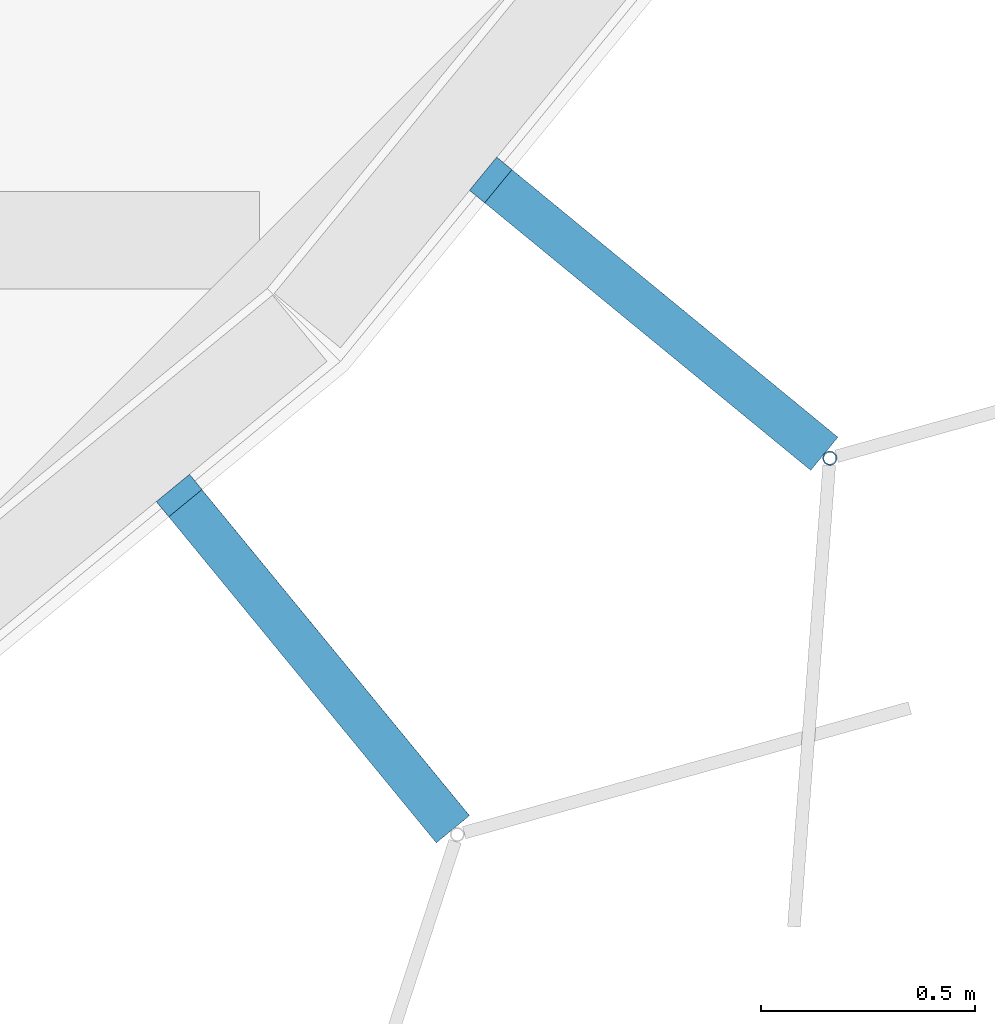
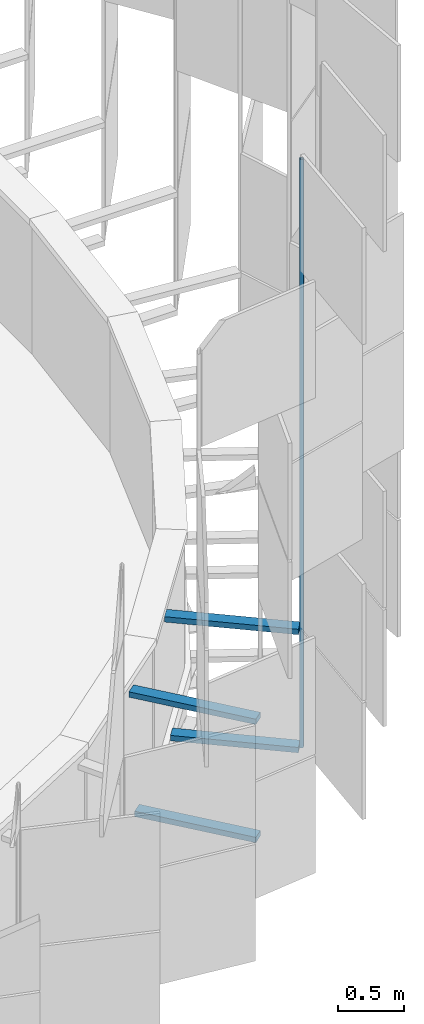
# One storey, part 173 of 483: 5 discrete accessories.
"""IFC4 building model written with IfcOpenShell, lengths in metres."""

from ifc_helpers import new_model, si_unit, direction, frame, origin, origin_2d, place, context, subcontext, project, spatial, rectangle, hollow_circle, extrude, material, material_profile, profile_set, type_object, element, save


model = new_model("IFC4")

# Units and contexts
model_context = context("Model", 3, precision=1e-05, world=origin(), true_north=direction((0.0, 1.0)))
body_context = subcontext(model_context, "Body", "Model", "MODEL_VIEW")
ifc_project = project(units=[si_unit("LENGTHUNIT", "METRE"), si_unit("AREAUNIT", "SQUARE_METRE"), si_unit("VOLUMEUNIT", "CUBIC_METRE"), si_unit("PLANEANGLEUNIT", "RADIAN"), si_unit("MASSUNIT", "GRAM", prefix="KILO")], contexts=[model_context])

# Site, building, storey
site_placement = place(None, origin())
site = spatial("IfcSite", under=ifc_project, at=site_placement, CompositionType="ELEMENT")
building_placement = place(site_placement, origin())
building = spatial("IfcBuilding", under=site, at=building_placement, Name="Parallax Yard Mobility Hub", CompositionType="ELEMENT")
storey_placement = place(building_placement, frame((0.0, 0.0, 13.199951171875)))
storey = spatial("IfcBuildingStorey", under=building, at=storey_placement, Name="L04", CompositionType="ELEMENT", Elevation=13.199951171875)

# Discrete accessories
ifc_material_1 = material(Name="Steel ASTM A36, hot-dip galvanised", Category="steel")
discrete_accessory_type_1 = type_object("IfcDiscreteAccessoryType", Name="Hinge bracket plate 100x50", PredefinedType="BRACKET", material=ifc_material_1)
discrete_accessory_1_placement = place(storey_placement, frame((222.73681640625, 24.006103515625, -0.02490234375), z_axis=(0.0, 0.0, 1.0), x_axis=(0.634393284164, -0.773010453363, 0.0)))
element("IfcDiscreteAccessory", 1, at=discrete_accessory_1_placement, inside=storey, type_object=discrete_accessory_type_1, Name="Hinge bracket plate bay 32.6 level L04", PredefinedType="BRACKET", context=body_context, shape_type="SweptSolid", body=[
    extrude(rectangle(XDim=0.984130859375, YDim=0.10009765625, at=origin_2d()), origin(), (0.0, 0.0, 1.0), 0.050048828125),
])
discrete_accessory_2_placement = place(storey_placement, frame((222.722412109375, 24.02392578125, 1.06982421875), z_axis=(0.0, 0.0, 1.0), x_axis=(0.634393284164, -0.773010453363, 0.0)))
element("IfcDiscreteAccessory", 2, at=discrete_accessory_2_placement, inside=storey, type_object=discrete_accessory_type_1, Name="Hinge bracket plate bay 32.6 level L04", PredefinedType="BRACKET", context=body_context, shape_type="SweptSolid", body=[
    extrude(rectangle(XDim=1.030029296875, YDim=0.10009765625, at=origin_2d()), origin(), (0.0, 0.0, 1.0), 0.050048828125),
])
discrete_accessory_3_placement = place(storey_placement, frame((223.535400390625, 24.81396484375, -0.02490234375), z_axis=(0.0, 0.0, 1.0), x_axis=(0.773010453363, -0.634393284164, 0.0)))
element("IfcDiscreteAccessory", 3, at=discrete_accessory_3_placement, inside=storey, type_object=discrete_accessory_type_1, Name="Hinge bracket plate bay 32.7 level L04", PredefinedType="BRACKET", context=body_context, shape_type="SweptSolid", body=[
    extrude(rectangle(XDim=0.984130859375, YDim=0.10009765625, at=origin_2d()), origin(), (0.0, 0.0, 1.0), 0.050048828125),
])
discrete_accessory_4_placement = place(storey_placement, frame((223.517578125, 24.82861328125, 1.06982421875), z_axis=(0.0, 0.0, 1.0), x_axis=(0.773010453363, -0.634393284164, 0.0)))
element("IfcDiscreteAccessory", 4, at=discrete_accessory_4_placement, inside=storey, type_object=discrete_accessory_type_1, Name="Hinge bracket plate bay 32.7 level L04", PredefinedType="BRACKET", context=body_context, shape_type="SweptSolid", body=[
    extrude(rectangle(XDim=1.030029296875, YDim=0.10009765625, at=origin_2d()), origin(), (0.0, 0.0, 1.0), 0.050048828125),
])
ifc_material_2 = material(Name="Steel ASTM A500 Gr C, hot-dip galvanised", Category="steel")
ifc_material_profile = material_profile(ifc_material_2, hollow_circle(Radius=0.016845703125, WallThickness=0.003173828125, at=origin_2d()), Name="CHS 33.7x3.2")
ifc_profile_set = profile_set([ifc_material_profile], Name="Steel ASTM A500 Gr C, hot-dip galvanised")
discrete_accessory_type_2 = type_object("IfcDiscreteAccessoryType", Name="Hinge post CHS 33.7x3.2", PredefinedType="BRACKET", material=ifc_profile_set)
discrete_accessory_5_placement = place(storey_placement, frame((223.928466796875, 24.491455078125, 0.0), z_axis=(0.0, 0.0, 1.0), x_axis=(1.0, 0.0, 0.0)))
element("IfcDiscreteAccessory", 5, at=discrete_accessory_5_placement, inside=storey, type_object=discrete_accessory_type_2, Name="Hinge post bay 32.7 level L04", PredefinedType="BRACKET", context=body_context, shape_type="SweptSolid", body=[
    extrude(hollow_circle(Radius=0.016845703125, WallThickness=0.003173828125, at=origin_2d()), origin(), (0.0, 0.0, 1.0), 5.449951171875),
])

save(model, "model.ifc")
